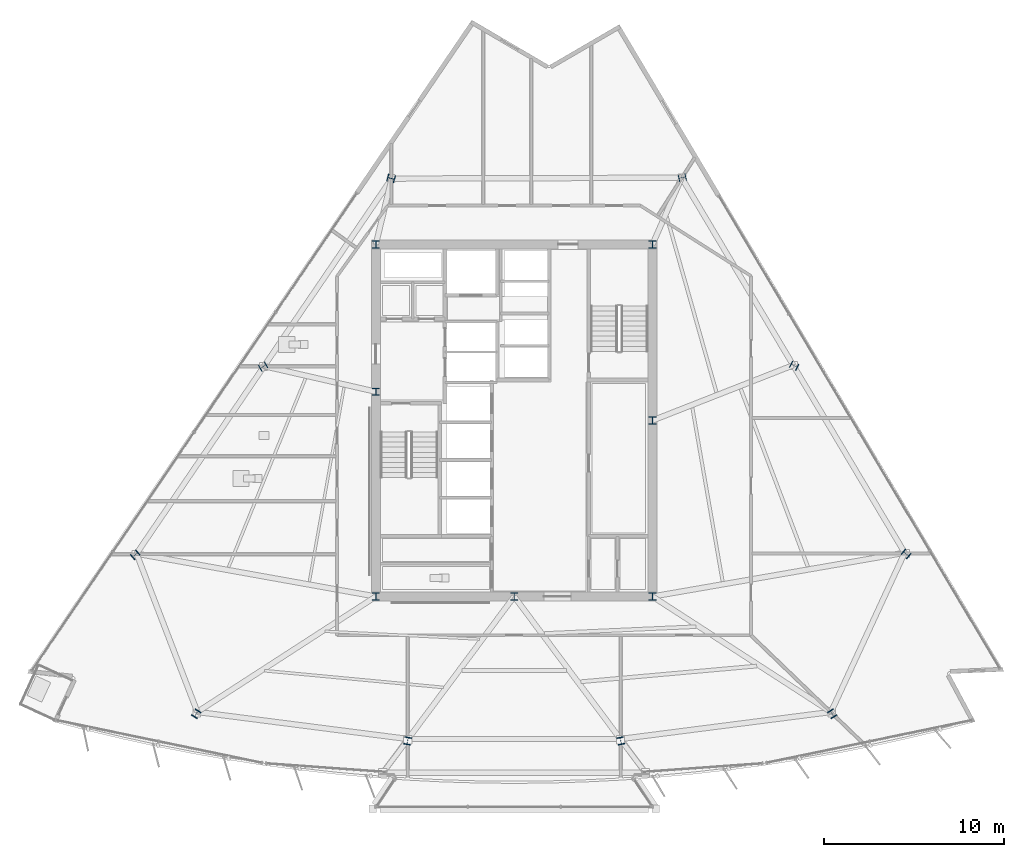
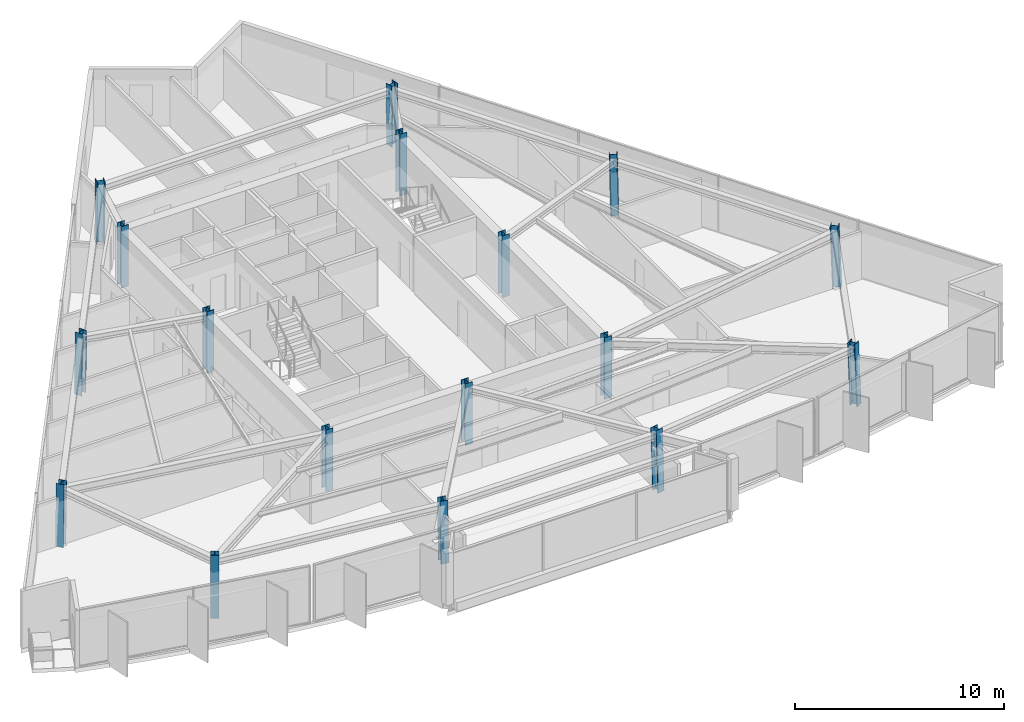
# One storey, part 1 of 16: 17 columns.
"""IFC4 building model written with IfcOpenShell, lengths in metres."""

from ifc_helpers import new_model, si_unit, direction, frame, origin, origin_2d, place, context, subcontext, project, spatial, i_section, extrude, material, material_profile, profile_set, type_object, element, save


model = new_model("IFC4")

# Units and contexts
model_context = context("Model", 3, precision=1e-05, world=origin(), true_north=direction((0.0, 1.0)))
body_context = subcontext(model_context, "Body", "Model", "MODEL_VIEW")
ifc_project = project(units=[si_unit("LENGTHUNIT", "METRE"), si_unit("AREAUNIT", "SQUARE_METRE"), si_unit("VOLUMEUNIT", "CUBIC_METRE"), si_unit("PLANEANGLEUNIT", "RADIAN"), si_unit("MASSUNIT", "GRAM", prefix="KILO")], contexts=[model_context])

# Site, building, storey
site_placement = place(None, origin())
site = spatial("IfcSite", under=ifc_project, at=site_placement, CompositionType="ELEMENT")
building_placement = place(site_placement, origin())
building = spatial("IfcBuilding", under=site, at=building_placement, Name="Savorim Split Tower", CompositionType="ELEMENT")
storey_placement = place(building_placement, frame((0.0, 0.0, 160.199951171875)))
storey = spatial("IfcBuildingStorey", under=building, at=storey_placement, Name="L42", CompositionType="ELEMENT", Elevation=160.199951171875)

# Columns
ifc_material = material(Name="Steel S460", Category="steel")
ifc_material_profile = material_profile(ifc_material, i_section(OverallWidth=0.404052734375, OverallDepth=0.406982421875, WebThickness=0.017333984375, FlangeThickness=0.028076171875, FilletRadius=0.014892578125, at=origin_2d()), Name="HD 400x347")
ifc_profile_set = profile_set([ifc_material_profile], Name="Steel S460")
column_type = type_object("IfcColumnType", Name="COL-HD-347", PredefinedType="COLUMN", material=ifc_profile_set)
for number, where, z_axis, x_axis, name in (
    (1, (-7.699951171875, -9.39990234375, 0.0), (0.0, 0.0, 1.0), (1.0, 0.0, 0.0), "L42 Core Structural Column TC-C1"),
    (2, (7.699951171875, -9.39990234375, 0.0), (0.0, 0.0, 1.0), (1.0, 0.0, 0.0), "L42 Core Structural Column TC-C2"),
    (3, (7.699951171875, 10.199951171875, 0.0), (0.0, 0.0, 1.0), (1.0, 0.0, 0.0), "L42 Core Structural Column TC-C3"),
    (4, (-7.699951171875, 10.199951171875, 0.0), (0.0, 0.0, 1.0), (1.0, 0.0, 0.0), "L42 Core Structural Column TC-C4"),
    (5, (0.0, -9.39990234375, 0.0), (0.0, 0.0, 1.0), (1.0, 0.0, 0.0), "L42 Core Structural Column TC-C5"),
    (6, (7.699951171875, 0.39990234375, 0.0), (0.0, 0.0, 1.0), (1.0, 0.0, 0.0), "L42 Core Structural Column TC-C6"),
    (7, (-7.699951171875, 2.0, 0.0), (0.0, 0.0, 1.0), (1.0, 0.0, 0.0), "L42 Core Structural Column TC-C7"),
):
    element("IfcColumn", number, at=place(storey_placement, frame(where, z_axis=z_axis, x_axis=x_axis)), inside=storey, type_object=column_type, Name=name, PredefinedType="COLUMN", context=body_context, shape_type="SweptSolid", body=[
        extrude(i_section(OverallWidth=0.404052734375, OverallDepth=0.406982421875, WebThickness=0.017333984375, FlangeThickness=0.028076171875, FilletRadius=0.014892578125, at=origin_2d()), origin(), (0.0, 0.0, 1.0), 3.60009765625),
    ])
column_1_placement = place(storey_placement, frame((-17.710693359375, -15.94677734375, 0.005615234375), z_axis=(0.020596292833, 0.033511459955, 0.999226087917), x_axis=(-0.851954850327, 0.523615252838, 0.0)))
element("IfcColumn", 8, at=column_1_placement, inside=storey, type_object=column_type, Name="L42 Tapered Perimeter Column PC-S1", PredefinedType="COLUMN", context=body_context, shape_type="SweptSolid", body=[
    extrude(i_section(OverallWidth=0.404052734375, OverallDepth=0.406982421875, WebThickness=0.017333984375, FlangeThickness=0.028076171875, FilletRadius=0.014892578125, at=origin_2d()), origin(), (0.0, 0.0, 1.0), 3.591552734375),
])
for number, where, z_axis, x_axis, name in (
    (9, (-5.935791015625, -17.45849609375, 0.005615234375), (0.006934288159, 0.035283289748, 0.999353293441), (-0.981229659911, 0.192842823335, 0.0), "L42 Tapered Perimeter Column PC-S2"),
    (10, (5.935791015625, -17.45849609375, 0.005615234375), (-0.006934288159, 0.035283289748, 0.999353293441), (-0.981229659911, -0.192842823335, 0.0), "L42 Tapered Perimeter Column PC-S3"),
):
    element("IfcColumn", number, at=place(storey_placement, frame(where, z_axis=z_axis, x_axis=x_axis)), inside=storey, type_object=column_type, Name=name, PredefinedType="COLUMN", context=body_context, shape_type="SweptSolid", body=[
        extrude(i_section(OverallWidth=0.404052734375, OverallDepth=0.406982421875, WebThickness=0.017333984375, FlangeThickness=0.028076171875, FilletRadius=0.014892578125, at=origin_2d()), origin(), (0.0, 0.0, 1.0), 3.59130859375),
    ])
column_2_placement = place(storey_placement, frame((17.710693359375, -15.94677734375, 0.005615234375), z_axis=(-0.020596292833, 0.033511459955, 0.999226087917), x_axis=(-0.851954850327, -0.523615252838, 0.0)))
element("IfcColumn", 11, at=column_2_placement, inside=storey, type_object=column_type, Name="L42 Tapered Perimeter Column PC-S4", PredefinedType="COLUMN", context=body_context, shape_type="SweptSolid", body=[
    extrude(i_section(OverallWidth=0.404052734375, OverallDepth=0.406982421875, WebThickness=0.017333984375, FlangeThickness=0.028076171875, FilletRadius=0.014892578125, at=origin_2d()), origin(), (0.0, 0.0, 1.0), 3.591552734375),
])
column_3_placement = place(storey_placement, frame((21.82958984375, -7.042724609375, 0.005615234375), z_axis=(-0.026107436898, 0.021620221181, 0.999425318758), x_axis=(-0.637813971185, -0.770190455771, 0.0)))
element("IfcColumn", 12, at=column_3_placement, inside=storey, type_object=column_type, Name="L42 Tapered Perimeter Column PC-E1", PredefinedType="COLUMN", context=body_context, shape_type="SweptSolid", body=[
    extrude(i_section(OverallWidth=0.404052734375, OverallDepth=0.406982421875, WebThickness=0.017333984375, FlangeThickness=0.028076171875, FilletRadius=0.014892578125, at=origin_2d()), origin(), (0.0, 0.0, 1.0), 3.5908203125),
])
column_4_placement = place(storey_placement, frame((15.596923828125, 3.43896484375, 0.005615234375), z_axis=(-0.018907314261, 0.009589680974, 0.999775250487), x_axis=(-0.452339157861, -0.891845999187, 0.0)))
element("IfcColumn", 13, at=column_4_placement, inside=storey, type_object=column_type, Name="L42 Tapered Perimeter Column PC-E2", PredefinedType="COLUMN", context=body_context, shape_type="SweptSolid", body=[
    extrude(i_section(OverallWidth=0.404052734375, OverallDepth=0.406982421875, WebThickness=0.017333984375, FlangeThickness=0.028076171875, FilletRadius=0.014892578125, at=origin_2d()), origin(), (0.0, 0.0, 1.0), 3.589599609375),
])
for number, where, z_axis, x_axis, name in (
    (14, (9.3642578125, 13.9208984375, 0.005615234375), (-0.011767853257, -0.00258484638, 0.999927415465), (0.214538664031, -0.976715496773, 0.0), "L42 Tapered Perimeter Column PC-E3"),
    (15, (-6.851318359375, 13.8720703125, 0.005615234375), (0.008775143007, -0.002584925847, 0.999958156636), (0.282568886397, 0.959247009086, 0.0), "L42 Tapered Perimeter Column PC-W1"),
):
    element("IfcColumn", number, at=place(storey_placement, frame(where, z_axis=z_axis, x_axis=x_axis)), inside=storey, type_object=column_type, Name=name, PredefinedType="COLUMN", context=body_context, shape_type="SweptSolid", body=[
        extrude(i_section(OverallWidth=0.404052734375, OverallDepth=0.406982421875, WebThickness=0.017333984375, FlangeThickness=0.028076171875, FilletRadius=0.014892578125, at=origin_2d()), origin(), (0.0, 0.0, 1.0), 3.589111328125),
    ])
column_5_placement = place(storey_placement, frame((-13.98193359375, 3.39013671875, 0.005615234375), z_axis=(0.017003561856, 0.009590008887, 0.99980943715), x_axis=(-0.491253415567, 0.871016694268, 0.0)))
element("IfcColumn", 16, at=column_5_placement, inside=storey, type_object=column_type, Name="L42 Tapered Perimeter Column PC-W2", PredefinedType="COLUMN", context=body_context, shape_type="SweptSolid", body=[
    extrude(i_section(OverallWidth=0.404052734375, OverallDepth=0.406982421875, WebThickness=0.017333984375, FlangeThickness=0.028076171875, FilletRadius=0.014892578125, at=origin_2d()), origin(), (0.0, 0.0, 1.0), 3.589599609375),
])
column_6_placement = place(storey_placement, frame((-21.1123046875, -7.091552734375, 0.005615234375), z_axis=(0.025224163578, 0.021620711639, 0.999447990843), x_axis=(-0.650791373456, 0.759256602365, 0.0)))
element("IfcColumn", 17, at=column_6_placement, inside=storey, type_object=column_type, Name="L42 Tapered Perimeter Column PC-W3", PredefinedType="COLUMN", context=body_context, shape_type="SweptSolid", body=[
    extrude(i_section(OverallWidth=0.404052734375, OverallDepth=0.406982421875, WebThickness=0.017333984375, FlangeThickness=0.028076171875, FilletRadius=0.014892578125, at=origin_2d()), origin(), (0.0, 0.0, 1.0), 3.5908203125),
])

save(model, "model.ifc")
